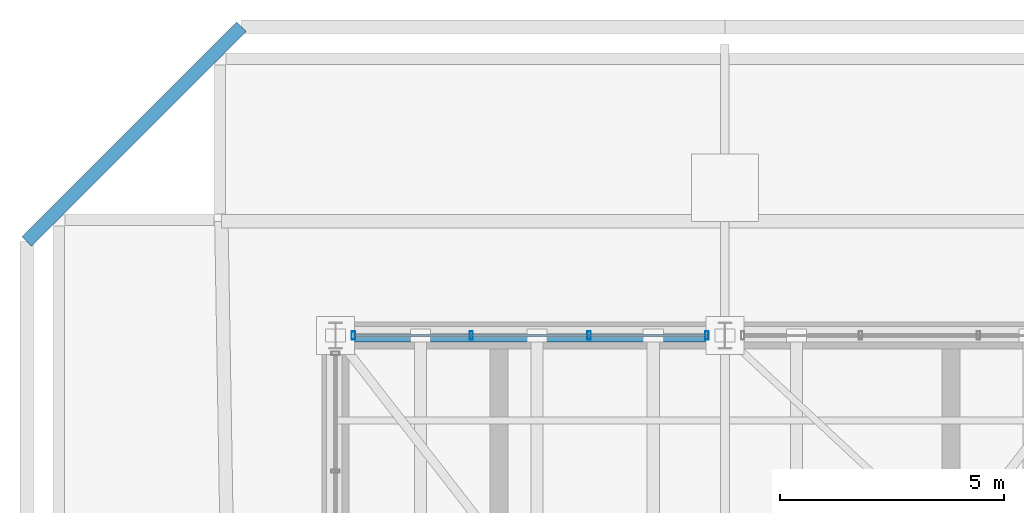
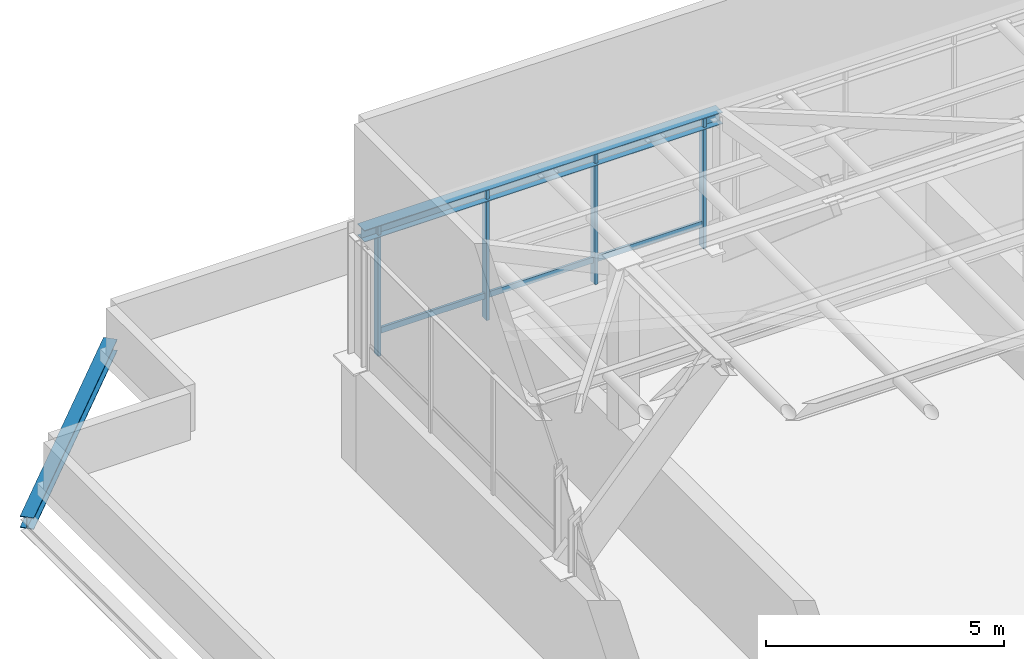
# One storey, part 16 of 22: 7 members, 2 beams, 1 element without a shape of its own.
"""IFC4 building model written with IfcOpenShell, lengths in metres."""

from ifc_helpers import new_model, si_unit, direction, frame, origin, origin_2d, place, context, subcontext, project, spatial, hollow_rectangle, i_section, extrude, material, layer, layer_set, material_profile, profile_set, type_object, element, aggregate, save


model = new_model("IFC4")

# Units and contexts
model_context = context("Model", 3, precision=1e-05, world=origin(), true_north=direction((0.0, 1.0)))
body_context = subcontext(model_context, "Body", "Model", "MODEL_VIEW")
ifc_project = project(units=[si_unit("LENGTHUNIT", "METRE"), si_unit("AREAUNIT", "SQUARE_METRE"), si_unit("VOLUMEUNIT", "CUBIC_METRE"), si_unit("PLANEANGLEUNIT", "RADIAN"), si_unit("MASSUNIT", "GRAM", prefix="KILO")], contexts=[model_context])

# Site, building, storey
site_placement = place(None, origin())
site = spatial("IfcSite", under=ifc_project, at=site_placement, CompositionType="ELEMENT")
building_placement = place(site_placement, origin())
building = spatial("IfcBuilding", under=site, at=building_placement, Name="Belovzor Exchange Tower", CompositionType="ELEMENT")
storey_placement = place(building_placement, frame((0.0, 0.0, 378.60009765625)))
storey = spatial("IfcBuildingStorey", under=building, at=storey_placement, Name="RF", CompositionType="ELEMENT", Elevation=378.60009765625)

# Beams
ifc_material_1 = material(Name="Steel S355", Category="steel")
ifc_material_profile_1 = material_profile(ifc_material_1, i_section(OverallWidth=0.300048828125, OverallDepth=0.300048828125, WebThickness=0.010986328125, FlangeThickness=0.01904296875, at=origin_2d()))
ifc_profile_set_1 = profile_set([ifc_material_profile_1], Name="Steel S355")
beam_type_1 = type_object("IfcBeamType", Name="Crown Plant Primary Beam HEB 300", PredefinedType="BEAM", material=ifc_profile_set_1)
beam_1_placement = place(storey_placement, frame((18.0, 44.39990234375, -0.4501953125), z_axis=(-0.707124763888, -0.707088798028, 0.0), x_axis=(0.707088798028, -0.707124763888, 0.0)))
element("IfcBeam", 1, at=beam_1_placement, inside=storey, type_object=beam_type_1, Name="FG-CR Crown Plant Primary Beam HEB 300", PredefinedType="BEAM", context=body_context, shape_type="SweptSolid", body=[
    extrude(i_section(OverallWidth=0.300048828125, OverallDepth=0.300048828125, WebThickness=0.010986328125, FlangeThickness=0.01904296875, at=origin_2d()), origin(), (0.0, 0.0, 1.0), 6.7880859375),
])
ifc_material_2 = material(Name="Steel S355", Category="steel")
ifc_material_profile_2 = material_profile(ifc_material_2, i_section(OverallWidth=0.300048828125, OverallDepth=0.300048828125, WebThickness=0.008544921875, FlangeThickness=0.013916015625, at=origin_2d()))
ifc_profile_set_2 = profile_set([ifc_material_profile_2], Name="Steel S355")
beam_type_2 = type_object("IfcBeamType", Name="Crown Ring & Trim Beam HEA 300", PredefinedType="BEAM", material=ifc_profile_set_2)
beam_2_placement = place(storey_placement, frame((28.800048828125, 37.5, 5.849853515625), z_axis=(-1.0, 0.0, 0.0), x_axis=(0.0, -1.0, 0.0)))
element("IfcBeam", 2, at=beam_2_placement, inside=storey, type_object=beam_type_2, Name="CB-CR Crown Ring & Trim Beam HEA 300", PredefinedType="BEAM", context=body_context, shape_type="SweptSolid", body=[
    extrude(i_section(OverallWidth=0.300048828125, OverallDepth=0.300048828125, WebThickness=0.008544921875, FlangeThickness=0.013916015625, at=origin_2d()), origin(), (0.0, 0.0, 1.0), 8.699951171875),
])

# Curtain wall, members
ifc_material_3 = material(Name="Anodised Aluminium Framing", Category="aluminium")
ifc_layer = layer(ifc_material_3, 0.169921875)
ifc_layer_set = layer_set([ifc_layer], Name="Anodised Aluminium Framing")
curtain_wall_type = type_object("IfcCurtainWallType", Name="Stepped Crown Faceted Lantern Curtain Wall", PredefinedType="NOTDEFINED", material=ifc_layer_set)
curtain_wall_placement = place(storey_placement, origin())
curtain_wall = element("IfcCurtainWall", 3, at=curtain_wall_placement, inside=storey, type_object=curtain_wall_type, Name="CW6 Stepped Crown Faceted Lantern Curtain Wall RF", PredefinedType="NOTDEFINED")
ifc_material_4 = material(Name="Steel S355", Category="steel")
ifc_material_profile_3 = material_profile(ifc_material_4, hollow_rectangle(XDim=0.074951171875, YDim=0.179931640625, WallThickness=0.0048828125, at=origin_2d()))
ifc_profile_set_3 = profile_set([ifc_material_profile_3], Name="Steel S355")
member_type_1 = type_object("IfcMemberType", Name="Thermally Broken Curtain Wall Mullion 180x75", PredefinedType="MULLION", material=ifc_profile_set_3)
member_1_placement = place(storey_placement, frame((20.5, 37.5, 2.599853515625), z_axis=(0.0, 0.0, 1.0), x_axis=(1.0, 0.0, 0.0)))
member_1 = element("IfcMember", 4, at=member_1_placement, type_object=member_type_1, Name="CW-M180 Curtain Wall Mullion 1", PredefinedType="MULLION", context=body_context, shape_type="SweptSolid", body=[
    extrude(hollow_rectangle(XDim=0.074951171875, YDim=0.179931640625, WallThickness=0.0048828125, at=origin_2d()), origin(), (0.0, 0.0, 1.0), 3.35009765625),
])
member_2_placement = place(storey_placement, frame((23.133056640625, 37.5, 2.599853515625), z_axis=(0.0, 0.0, 1.0), x_axis=(1.0, 0.0, 0.0)))
member_2 = element("IfcMember", 5, at=member_2_placement, type_object=member_type_1, Name="CW-M180 Curtain Wall Mullion 2", PredefinedType="MULLION", context=body_context, shape_type="SweptSolid", body=[
    extrude(hollow_rectangle(XDim=0.074951171875, YDim=0.179931640625, WallThickness=0.0048828125, at=origin_2d()), origin(), (0.0, 0.0, 1.0), 3.35009765625),
])
member_3_placement = place(storey_placement, frame((25.76708984375, 37.5, 2.599853515625), z_axis=(0.0, 0.0, 1.0), x_axis=(1.0, 0.0, 0.0)))
member_3 = element("IfcMember", 6, at=member_3_placement, type_object=member_type_1, Name="CW-M180 Curtain Wall Mullion 3", PredefinedType="MULLION", context=body_context, shape_type="SweptSolid", body=[
    extrude(hollow_rectangle(XDim=0.074951171875, YDim=0.179931640625, WallThickness=0.0048828125, at=origin_2d()), origin(), (0.0, 0.0, 1.0), 3.35009765625),
])
member_4_placement = place(storey_placement, frame((28.39990234375, 37.5, 2.599853515625), z_axis=(0.0, 0.0, 1.0), x_axis=(1.0, 0.0, 0.0)))
member_4 = element("IfcMember", 7, at=member_4_placement, type_object=member_type_1, Name="CW-M180 Curtain Wall Mullion 4", PredefinedType="MULLION", context=body_context, shape_type="SweptSolid", body=[
    extrude(hollow_rectangle(XDim=0.074951171875, YDim=0.179931640625, WallThickness=0.0048828125, at=origin_2d()), origin(), (0.0, 0.0, 1.0), 3.35009765625),
])
ifc_material_5 = material(Name="Steel S355", Category="steel")
ifc_material_profile_4 = material_profile(ifc_material_5, hollow_rectangle(XDim=0.06005859375, YDim=0.14990234375, WallThickness=0.00390625, at=origin_2d()))
ifc_profile_set_4 = profile_set([ifc_material_profile_4], Name="Steel S355")
member_type_2 = type_object("IfcMemberType", Name="Thermally Broken Curtain Wall Transom 150x60", PredefinedType="USERDEFINED", material=ifc_profile_set_4)
member_5_placement = place(storey_placement, frame((20.508056640625, 37.5, 3.202880859375), z_axis=(1.0, 0.0, 0.0), x_axis=(0.0, 1.0, 0.0)))
member_5 = element("IfcMember", 8, at=member_5_placement, type_object=member_type_2, Name="CW-T150 Curtain Wall Transom 1", ObjectType="TRANSOM", PredefinedType="USERDEFINED", context=body_context, shape_type="SweptSolid", body=[
    extrude(hollow_rectangle(XDim=0.06005859375, YDim=0.14990234375, WallThickness=0.00390625, at=origin_2d()), origin(), (0.0, 0.0, 1.0), 2.616943359375),
])
member_6_placement = place(storey_placement, frame((23.14111328125, 37.5, 3.202880859375), z_axis=(1.0, 0.0, 0.0), x_axis=(0.0, 1.0, 0.0)))
member_6 = element("IfcMember", 9, at=member_6_placement, type_object=member_type_2, Name="CW-T150 Curtain Wall Transom 2", ObjectType="TRANSOM", PredefinedType="USERDEFINED", context=body_context, shape_type="SweptSolid", body=[
    extrude(hollow_rectangle(XDim=0.06005859375, YDim=0.14990234375, WallThickness=0.00390625, at=origin_2d()), origin(), (0.0, 0.0, 1.0), 2.617919921875),
])
member_7_placement = place(storey_placement, frame((25.77490234375, 37.5, 3.202880859375), z_axis=(1.0, 0.0, 0.0), x_axis=(0.0, 1.0, 0.0)))
member_7 = element("IfcMember", 10, at=member_7_placement, type_object=member_type_2, Name="CW-T150 Curtain Wall Transom 3", ObjectType="TRANSOM", PredefinedType="USERDEFINED", context=body_context, shape_type="SweptSolid", body=[
    extrude(hollow_rectangle(XDim=0.06005859375, YDim=0.14990234375, WallThickness=0.00390625, at=origin_2d()), origin(), (0.0, 0.0, 1.0), 2.6171875),
])
aggregate(curtain_wall, [member_1, member_2, member_3, member_4, member_5, member_6, member_7])

save(model, "model.ifc")
